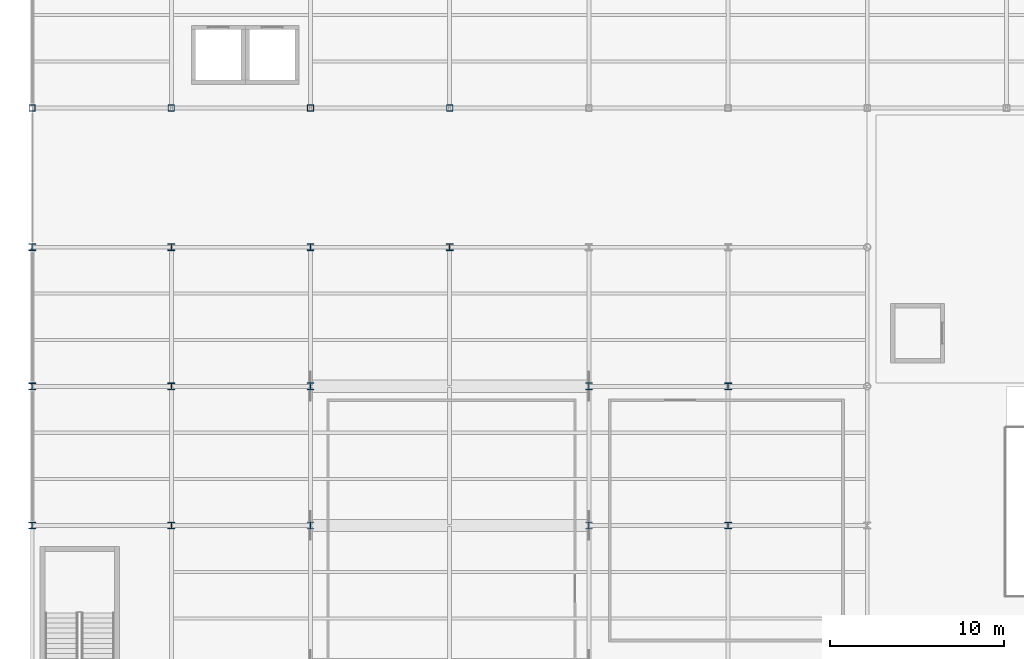
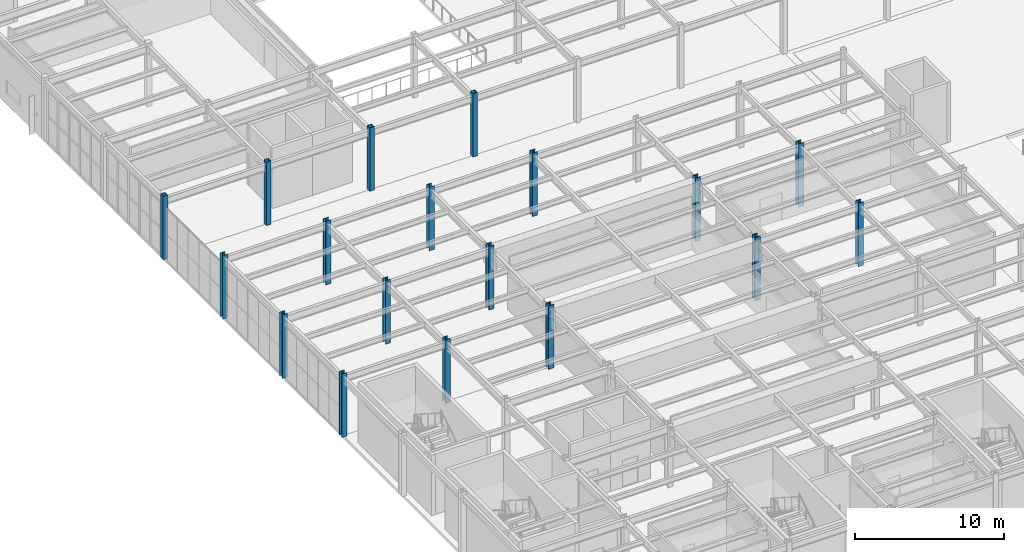
# One storey, part 3 of 77: 18 columns.
"""IFC4 building model written with IfcOpenShell, lengths in metres."""

from ifc_helpers import new_model, si_unit, direction, frame, origin, origin_2d, place, context, subcontext, project, spatial, hollow_rectangle, i_section, extrude, material, material_profile, profile_set, type_object, element, save


model = new_model("IFC4")

# Units and contexts
model_context = context("Model", 3, precision=1e-05, world=origin(), true_north=direction((0.0, 1.0)))
body_context = subcontext(model_context, "Body", "Model", "MODEL_VIEW")
ifc_project = project(units=[si_unit("LENGTHUNIT", "METRE"), si_unit("AREAUNIT", "SQUARE_METRE"), si_unit("VOLUMEUNIT", "CUBIC_METRE"), si_unit("PLANEANGLEUNIT", "RADIAN"), si_unit("MASSUNIT", "GRAM", prefix="KILO")], contexts=[model_context])

# Site, building, storey
site_placement = place(None, origin())
site = spatial("IfcSite", under=ifc_project, at=site_placement, CompositionType="ELEMENT")
building_placement = place(site_placement, origin())
building = spatial("IfcBuilding", under=site, at=building_placement, Name="Drelvath Fold Interchange", CompositionType="ELEMENT")
storey_placement = place(building_placement, frame((0.0, 0.0, 6.0)))
storey = spatial("IfcBuildingStorey", under=building, at=storey_placement, Name="L01", CompositionType="ELEMENT", Elevation=6.0)

# Columns
ifc_material_1 = material(Name="Steel ASTM A500 Grade C", Category="steel")
ifc_material_profile_1 = material_profile(ifc_material_1, hollow_rectangle(XDim=0.35595703125, YDim=0.35595703125, WallThickness=0.014892578125, at=origin_2d()), Name="HSS14X14X5/8")
ifc_profile_set_1 = profile_set([ifc_material_profile_1], Name="Steel ASTM A500 Grade C")
column_type_1 = type_object("IfcColumnType", Name="COL-HSS356", PredefinedType="COLUMN", material=ifc_profile_set_1)
for number, where, z_axis, x_axis, name in (
    (1, (4.0, 59.0, 0.0), (0.0, 0.0, 1.0), (1.0, 0.0, 0.0), "L01 column (4,59)"),
    (2, (12.0, 59.0, 0.0), (0.0, 0.0, 1.0), (1.0, 0.0, 0.0), "L01 column (12,59)"),
    (3, (20.0, 59.0, 0.0), (0.0, 0.0, 1.0), (1.0, 0.0, 0.0), "L01 column (20,59)"),
    (4, (28.0, 59.0, 0.0), (0.0, 0.0, 1.0), (1.0, 0.0, 0.0), "L01 column (28,59)"),
):
    element("IfcColumn", number, at=place(storey_placement, frame(where, z_axis=z_axis, x_axis=x_axis)), inside=storey, type_object=column_type_1, Name=name, PredefinedType="COLUMN", context=body_context, shape_type="SweptSolid", body=[
        extrude(hollow_rectangle(XDim=0.35595703125, YDim=0.35595703125, WallThickness=0.014892578125, at=origin_2d()), origin(), (0.0, 0.0, 1.0), 5.199951171875),
    ])
ifc_material_2 = material(Name="Steel ASTM A992 Grade 50", Category="steel")
ifc_material_profile_2 = material_profile(ifc_material_2, i_section(OverallWidth=0.39892578125, OverallDepth=0.39306640625, WebThickness=0.022705078125, FlangeThickness=0.03662109375, at=origin_2d()), Name="W14X193")
ifc_profile_set_2 = profile_set([ifc_material_profile_2], Name="Steel ASTM A992 Grade 50")
column_type_2 = type_object("IfcColumnType", Name="COL-W14X193", PredefinedType="COLUMN", material=ifc_profile_set_2)
for number, where, z_axis, x_axis, name in (
    (5, (4.0, 35.0, 0.0), (0.0, 0.0, 1.0), (1.0, 0.0, 0.0), "L01 column (4,35)"),
    (6, (4.0, 43.0, 0.0), (0.0, 0.0, 1.0), (1.0, 0.0, 0.0), "L01 column (4,43)"),
    (7, (4.0, 51.0, 0.0), (0.0, 0.0, 1.0), (1.0, 0.0, 0.0), "L01 column (4,51)"),
    (8, (12.0, 35.0, 0.0), (0.0, 0.0, 1.0), (1.0, 0.0, 0.0), "L01 column (12,35)"),
    (9, (12.0, 43.0, 0.0), (0.0, 0.0, 1.0), (1.0, 0.0, 0.0), "L01 column (12,43)"),
    (10, (12.0, 51.0, 0.0), (0.0, 0.0, 1.0), (1.0, 0.0, 0.0), "L01 column (12,51)"),
    (11, (20.0, 51.0, 0.0), (0.0, 0.0, 1.0), (1.0, 0.0, 0.0), "L01 column (20,51)"),
    (12, (28.0, 51.0, 0.0), (0.0, 0.0, 1.0), (1.0, 0.0, 0.0), "L01 column (28,51)"),
    (13, (44.0, 35.0, 0.0), (0.0, 0.0, 1.0), (1.0, 0.0, 0.0), "L01 column (44,35)"),
    (14, (44.0, 43.0, 0.0), (0.0, 0.0, 1.0), (1.0, 0.0, 0.0), "L01 column (44,43)"),
):
    element("IfcColumn", number, at=place(storey_placement, frame(where, z_axis=z_axis, x_axis=x_axis)), inside=storey, type_object=column_type_2, Name=name, PredefinedType="COLUMN", context=body_context, shape_type="SweptSolid", body=[
        extrude(i_section(OverallWidth=0.39892578125, OverallDepth=0.39306640625, WebThickness=0.022705078125, FlangeThickness=0.03662109375, at=origin_2d()), origin(), (0.0, 0.0, 1.0), 5.199951171875),
    ])
ifc_material_profile_3 = material_profile(ifc_material_2, i_section(OverallWidth=0.408935546875, OverallDepth=0.425048828125, WebThickness=0.03271484375, FlangeThickness=0.052490234375, at=origin_2d()), Name="W14X283")
ifc_profile_set_3 = profile_set([ifc_material_profile_3], Name="Steel ASTM A992 Grade 50")
column_type_3 = type_object("IfcColumnType", Name="COL-W14X283", PredefinedType="COLUMN", material=ifc_profile_set_3)
for number, where, z_axis, x_axis, name in (
    (15, (20.0, 35.0, 0.0), (0.0, 0.0, 1.0), (1.0, 0.0, 0.0), "L01 column (20,35)"),
    (16, (20.0, 43.0, 0.0), (0.0, 0.0, 1.0), (1.0, 0.0, 0.0), "L01 column (20,43)"),
    (17, (36.0, 35.0, 0.0), (0.0, 0.0, 1.0), (1.0, 0.0, 0.0), "L01 column (36,35)"),
    (18, (36.0, 43.0, 0.0), (0.0, 0.0, 1.0), (1.0, 0.0, 0.0), "L01 column (36,43)"),
):
    element("IfcColumn", number, at=place(storey_placement, frame(where, z_axis=z_axis, x_axis=x_axis)), inside=storey, type_object=column_type_3, Name=name, PredefinedType="COLUMN", context=body_context, shape_type="SweptSolid", body=[
        extrude(i_section(OverallWidth=0.408935546875, OverallDepth=0.425048828125, WebThickness=0.03271484375, FlangeThickness=0.052490234375, at=origin_2d()), origin(), (0.0, 0.0, 1.0), 5.199951171875),
    ])

save(model, "model.ifc")
